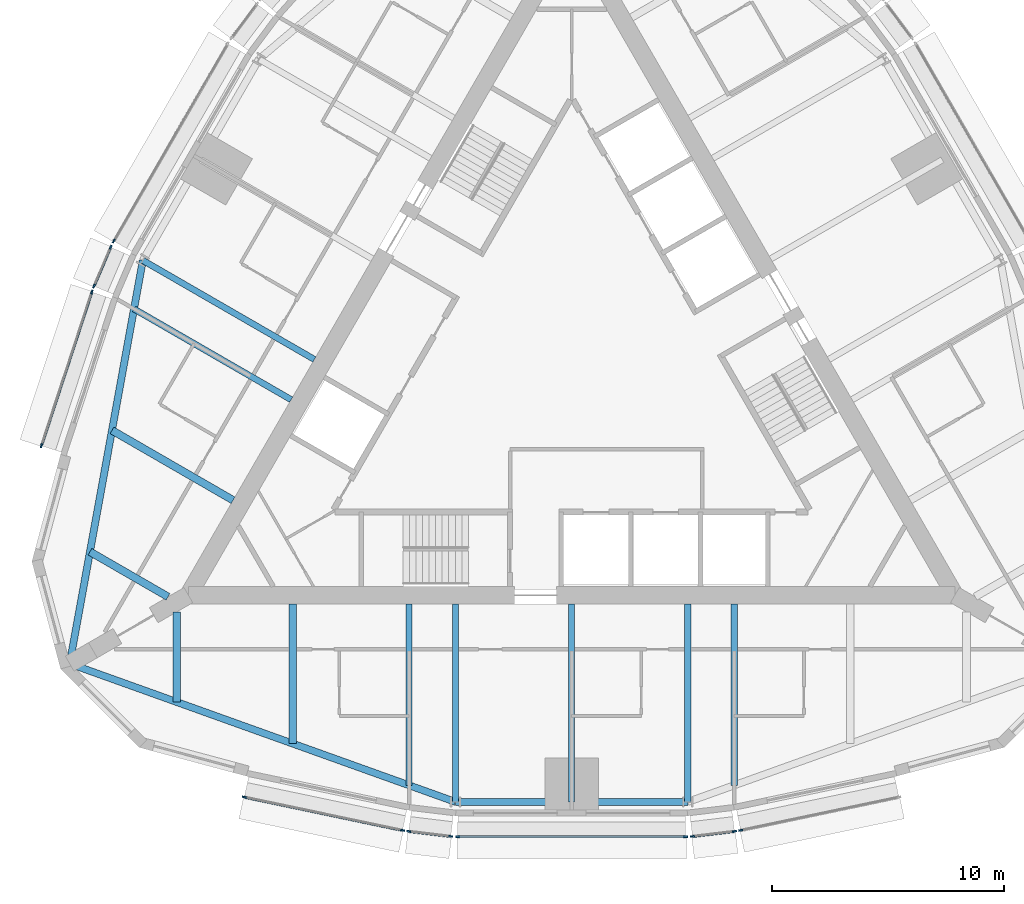
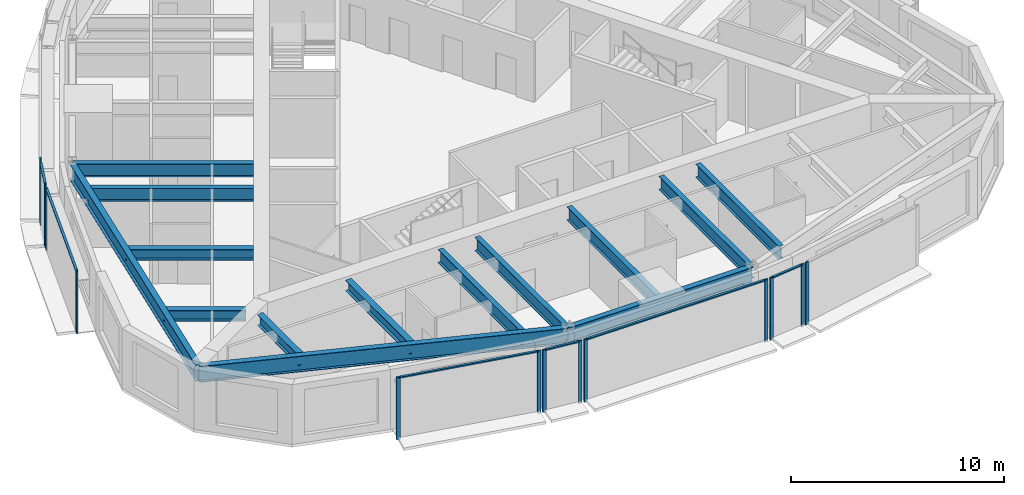
# One storey, part 2 of 12: 20 members, 14 beams, 8 elements without a shape of their own.
"""IFC4 building model written with IfcOpenShell, lengths in metres."""

from ifc_helpers import new_model, si_unit, direction, frame, origin, origin_2d, place, context, subcontext, project, spatial, rectangle, i_section, extrude, material, material_profile, profile_set, type_object, element, aggregate, save


model = new_model("IFC4")

# Units and contexts
model_context = context("Model", 3, precision=1e-05, world=origin(), true_north=direction((0.0, 1.0)))
body_context = subcontext(model_context, "Body", "Model", "MODEL_VIEW")
ifc_project = project(units=[si_unit("LENGTHUNIT", "METRE"), si_unit("AREAUNIT", "SQUARE_METRE"), si_unit("VOLUMEUNIT", "CUBIC_METRE"), si_unit("PLANEANGLEUNIT", "RADIAN"), si_unit("MASSUNIT", "GRAM", prefix="KILO")], contexts=[model_context])

# Site, building, storey
site_placement = place(None, origin())
site = spatial("IfcSite", under=ifc_project, at=site_placement, CompositionType="ELEMENT")
building_placement = place(site_placement, origin())
building = spatial("IfcBuilding", under=site, at=building_placement, Name="Trikona Tower", CompositionType="ELEMENT")
storey_placement = place(building_placement, frame((0.0, 0.0, 242.89990234375)))
storey = spatial("IfcBuildingStorey", under=building, at=storey_placement, Name="L64", CompositionType="ELEMENT", Elevation=242.89990234375)

# Curtain wall, members
ifc_material_1 = material(Name="Aluminium curtain wall system", Category="aluminium")
curtain_wall_type = type_object("IfcCurtainWallType", Name="Curtain wall DS3", PredefinedType="NOTDEFINED", material=ifc_material_1)
curtain_wall_1_placement = place(storey_placement, origin())
curtain_wall_1 = element("IfcCurtainWall", 1, at=curtain_wall_1_placement, inside=storey, type_object=curtain_wall_type, Name="Curtain wall DS3 L64", PredefinedType="NOTDEFINED")
ifc_material_2 = material(Name="Aluminium mullion, pale anodised", Category="aluminium")
ifc_material_profile_1 = material_profile(ifc_material_2, rectangle(XDim=0.070068359375, YDim=0.179931640625, at=origin_2d()), Name="MUL-DS3")
ifc_profile_set_1 = profile_set([ifc_material_profile_1], Name="Aluminium mullion, pale anodised")
member_type_1 = type_object("IfcMemberType", Name="Mullion DS3 70x180", PredefinedType="MULLION", material=ifc_profile_set_1)
member_1_placement = place(storey_placement, frame((-14.092041015625, -18.220703125, 0.0), z_axis=(0.0, 0.0, 1.0), x_axis=(0.205527448396, 0.978651351583, 0.0)))
member_1 = element("IfcMember", 2, at=member_1_placement, type_object=member_type_1, Name="CW-DS3 mullion 1", PredefinedType="MULLION", context=body_context, shape_type="SweptSolid", body=[
    extrude(rectangle(XDim=0.070068359375, YDim=0.179931640625, at=origin_2d()), origin(), (0.0, 0.0, 1.0), 3.60009765625),
])
member_2_placement = place(storey_placement, frame((-7.27783203125, -19.65185546875, 0.0), z_axis=(0.0, 0.0, 1.0), x_axis=(0.205527448396, 0.978651351583, 0.0)))
member_2 = element("IfcMember", 3, at=member_2_placement, type_object=member_type_1, Name="CW-DS3 mullion 2", PredefinedType="MULLION", context=body_context, shape_type="SweptSolid", body=[
    extrude(rectangle(XDim=0.070068359375, YDim=0.179931640625, at=origin_2d()), origin(), (0.0, 0.0, 1.0), 3.60009765625),
])

curtain_wall_2_placement = place(storey_placement, origin())
curtain_wall_2 = element("IfcCurtainWall", 4, at=curtain_wall_2_placement, inside=storey, type_object=curtain_wall_type, Name="Curtain wall DS3 L64", PredefinedType="NOTDEFINED")
member_3_placement = place(storey_placement, frame((-7.012939453125, -19.6953125, 0.0), z_axis=(0.0, 0.0, 1.0), x_axis=(0.119141057581, 0.992877338043, 0.0)))
member_3 = element("IfcMember", 5, at=member_3_placement, type_object=member_type_1, Name="CW-DS3 mullion 1", PredefinedType="MULLION", context=body_context, shape_type="SweptSolid", body=[
    extrude(rectangle(XDim=0.070068359375, YDim=0.179931640625, at=origin_2d()), origin(), (0.0, 0.0, 1.0), 3.60009765625),
])
member_4_placement = place(storey_placement, frame((-5.20166015625, -19.912841796875, 0.0), z_axis=(0.0, 0.0, 1.0), x_axis=(0.119141057581, 0.992877338043, 0.0)))
member_4 = element("IfcMember", 6, at=member_4_placement, type_object=member_type_1, Name="CW-DS3 mullion 2", PredefinedType="MULLION", context=body_context, shape_type="SweptSolid", body=[
    extrude(rectangle(XDim=0.070068359375, YDim=0.179931640625, at=origin_2d()), origin(), (0.0, 0.0, 1.0), 3.60009765625),
])

curtain_wall_3_placement = place(storey_placement, origin())
curtain_wall_3 = element("IfcCurtainWall", 7, at=curtain_wall_3_placement, inside=storey, type_object=curtain_wall_type, Name="Curtain wall DS3 L64", PredefinedType="NOTDEFINED")
member_5_placement = place(storey_placement, frame((-4.905029296875, -19.930419921875, 0.0), z_axis=(0.0, 0.0, 1.0), x_axis=(0.0, 1.0, 0.0)))
member_5 = element("IfcMember", 8, at=member_5_placement, type_object=member_type_1, Name="CW-DS3 mullion 1", PredefinedType="MULLION", context=body_context, shape_type="SweptSolid", body=[
    extrude(rectangle(XDim=0.070068359375, YDim=0.179931640625, at=origin_2d()), origin(), (0.0, 0.0, 1.0), 3.60009765625),
])
member_6_placement = place(storey_placement, frame((4.905029296875, -19.930419921875, 0.0), z_axis=(0.0, 0.0, 1.0), x_axis=(0.0, 1.0, 0.0)))
member_6 = element("IfcMember", 9, at=member_6_placement, type_object=member_type_1, Name="CW-DS3 mullion 2", PredefinedType="MULLION", context=body_context, shape_type="SweptSolid", body=[
    extrude(rectangle(XDim=0.070068359375, YDim=0.179931640625, at=origin_2d()), origin(), (0.0, 0.0, 1.0), 3.60009765625),
])

curtain_wall_4_placement = place(storey_placement, origin())
curtain_wall_4 = element("IfcCurtainWall", 10, at=curtain_wall_4_placement, inside=storey, type_object=curtain_wall_type, Name="Curtain wall DS3 L64", PredefinedType="NOTDEFINED")
member_7_placement = place(storey_placement, frame((5.20166015625, -19.912841796875, 0.0), z_axis=(0.0, 0.0, 1.0), x_axis=(-0.119141057581, 0.992877338043, 0.0)))
member_7 = element("IfcMember", 11, at=member_7_placement, type_object=member_type_1, Name="CW-DS3 mullion 1", PredefinedType="MULLION", context=body_context, shape_type="SweptSolid", body=[
    extrude(rectangle(XDim=0.070068359375, YDim=0.179931640625, at=origin_2d()), origin(), (0.0, 0.0, 1.0), 3.60009765625),
])
member_8_placement = place(storey_placement, frame((7.012939453125, -19.6953125, 0.0), z_axis=(0.0, 0.0, 1.0), x_axis=(-0.119141057581, 0.992877338043, 0.0)))
member_8 = element("IfcMember", 12, at=member_8_placement, type_object=member_type_1, Name="CW-DS3 mullion 2", PredefinedType="MULLION", context=body_context, shape_type="SweptSolid", body=[
    extrude(rectangle(XDim=0.070068359375, YDim=0.179931640625, at=origin_2d()), origin(), (0.0, 0.0, 1.0), 3.60009765625),
])

# Curtain wall, member
curtain_wall_5_placement = place(storey_placement, origin())
curtain_wall_5 = element("IfcCurtainWall", 13, at=curtain_wall_5_placement, inside=storey, type_object=curtain_wall_type, Name="Curtain wall DS3 L64", PredefinedType="NOTDEFINED")
member_9_placement = place(storey_placement, frame((7.27783203125, -19.65185546875, 0.0), z_axis=(0.0, 0.0, 1.0), x_axis=(-0.205527448396, 0.978651351583, 0.0)))
member_9 = element("IfcMember", 14, at=member_9_placement, type_object=member_type_1, Name="CW-DS3 mullion 1", PredefinedType="MULLION", context=body_context, shape_type="SweptSolid", body=[
    extrude(rectangle(XDim=0.070068359375, YDim=0.179931640625, at=origin_2d()), origin(), (0.0, 0.0, 1.0), 3.60009765625),
])
aggregate(curtain_wall_5, [member_9])

curtain_wall_6_placement = place(storey_placement, origin())
curtain_wall_6 = element("IfcCurtainWall", 15, at=curtain_wall_6_placement, inside=storey, type_object=curtain_wall_type, Name="Curtain wall DS3 L64", PredefinedType="NOTDEFINED")
member_10_placement = place(storey_placement, frame((-19.712890625, 5.717529296875, 0.0), z_axis=(0.0, 0.0, 1.0), x_axis=(0.866024619633, -0.500001358187, 0.0)))
member_10 = element("IfcMember", 16, at=member_10_placement, type_object=member_type_1, Name="CW-DS3 mullion 2", PredefinedType="MULLION", context=body_context, shape_type="SweptSolid", body=[
    extrude(rectangle(XDim=0.070068359375, YDim=0.179931640625, at=origin_2d()), origin(), (0.0, 0.0, 1.0), 3.60009765625),
])
aggregate(curtain_wall_6, [member_10])

# Curtain wall, members
curtain_wall_7_placement = place(storey_placement, origin())
curtain_wall_7 = element("IfcCurtainWall", 17, at=curtain_wall_7_placement, inside=storey, type_object=curtain_wall_type, Name="Curtain wall DS3 L64", PredefinedType="NOTDEFINED")
member_11_placement = place(storey_placement, frame((-19.845703125, 5.45166015625, 0.0), z_axis=(0.0, 0.0, 1.0), x_axis=(0.919420580163, -0.393275726143, 0.0)))
member_11 = element("IfcMember", 18, at=member_11_placement, type_object=member_type_1, Name="CW-DS3 mullion 1", PredefinedType="MULLION", context=body_context, shape_type="SweptSolid", body=[
    extrude(rectangle(XDim=0.070068359375, YDim=0.179931640625, at=origin_2d()), origin(), (0.0, 0.0, 1.0), 3.60009765625),
])
member_12_placement = place(storey_placement, frame((-20.563232421875, 3.7744140625, 0.0), z_axis=(0.0, 0.0, 1.0), x_axis=(0.919420580163, -0.393275726143, 0.0)))
member_12 = element("IfcMember", 19, at=member_12_placement, type_object=member_type_1, Name="CW-DS3 mullion 2", PredefinedType="MULLION", context=body_context, shape_type="SweptSolid", body=[
    extrude(rectangle(XDim=0.070068359375, YDim=0.179931640625, at=origin_2d()), origin(), (0.0, 0.0, 1.0), 3.60009765625),
])

curtain_wall_8_placement = place(storey_placement, origin())
curtain_wall_8 = element("IfcCurtainWall", 20, at=curtain_wall_8_placement, inside=storey, type_object=curtain_wall_type, Name="Curtain wall DS3 L64", PredefinedType="NOTDEFINED")
member_13_placement = place(storey_placement, frame((-20.657958984375, 3.52294921875, 0.0), z_axis=(0.0, 0.0, 1.0), x_axis=(0.95029742275, -0.311343553515, 0.0)))
member_13 = element("IfcMember", 21, at=member_13_placement, type_object=member_type_1, Name="CW-DS3 mullion 1", PredefinedType="MULLION", context=body_context, shape_type="SweptSolid", body=[
    extrude(rectangle(XDim=0.070068359375, YDim=0.179931640625, at=origin_2d()), origin(), (0.0, 0.0, 1.0), 3.60009765625),
])
member_14_placement = place(storey_placement, frame((-22.82568359375, -3.09375, 0.0), z_axis=(0.0, 0.0, 1.0), x_axis=(0.95029742275, -0.311343553515, 0.0)))
member_14 = element("IfcMember", 22, at=member_14_placement, type_object=member_type_1, Name="CW-DS3 mullion 2", PredefinedType="MULLION", context=body_context, shape_type="SweptSolid", body=[
    extrude(rectangle(XDim=0.070068359375, YDim=0.179931640625, at=origin_2d()), origin(), (0.0, 0.0, 1.0), 3.60009765625),
])

# Beams
ifc_material_3 = material(Name="Steel ASTM A992 Grade 50", Category="steel")
ifc_material_profile_2 = material_profile(ifc_material_3, i_section(OverallWidth=0.3251953125, OverallDepth=0.612060546875, WebThickness=0.0126953125, FlangeThickness=0.01904296875, at=origin_2d()), Name="W24X104")
ifc_profile_set_2 = profile_set([ifc_material_profile_2], Name="Steel ASTM A992 Grade 50")
beam_type_1 = type_object("IfcBeamType", Name="Steel beam W24x104 (wedge upper)", PredefinedType="BEAM", material=ifc_profile_set_2)
beam_1_placement = place(storey_placement, frame((-17.0, -10.248046875, 3.12890625), z_axis=(0.0, -1.0, 0.0), x_axis=(1.0, 0.0, 0.0)))
element("IfcBeam", 23, at=beam_1_placement, inside=storey, type_object=beam_type_1, Name="Floor beam L65 F1 u-17", PredefinedType="BEAM", context=body_context, shape_type="SweptSolid", body=[
    extrude(i_section(OverallWidth=0.3251953125, OverallDepth=0.612060546875, WebThickness=0.0126953125, FlangeThickness=0.01904296875, at=origin_2d()), origin(), (0.0, 0.0, 1.0), 3.881103515625),
])
for number, where, z_axis, x_axis, name in (
    (24, (-12.0, -9.9013671875, 3.12890625), (0.0, -1.0, 0.0), (1.0, 0.0, 0.0), "Floor beam L65 F1 u-12"),
    (25, (-14.57470703125, -5.441650390625, 3.12890625), (-0.866030935233, 0.499990419128, 0.0), (-0.499990419128, -0.866030935233, 0.0), "Floor beam L65 F3 u12"),
):
    element("IfcBeam", number, at=place(storey_placement, frame(where, z_axis=z_axis, x_axis=x_axis)), inside=storey, type_object=beam_type_1, Name=name, PredefinedType="BEAM", context=body_context, shape_type="SweptSolid", body=[
        extrude(i_section(OverallWidth=0.3251953125, OverallDepth=0.612060546875, WebThickness=0.0126953125, FlangeThickness=0.01904296875, at=origin_2d()), origin(), (0.0, 0.0, 1.0), 6.02001953125),
    ])
beam_2_placement = place(storey_placement, frame((-17.375, -9.598388671875, 3.12890625), z_axis=(-0.866024273614, 0.500001957507, 0.0), x_axis=(-0.500001957507, -0.866024273614, 0.0)))
element("IfcBeam", 26, at=beam_2_placement, inside=storey, type_object=beam_type_1, Name="Floor beam L65 F3 u17", PredefinedType="BEAM", context=body_context, shape_type="SweptSolid", body=[
    extrude(i_section(OverallWidth=0.3251953125, OverallDepth=0.612060546875, WebThickness=0.0126953125, FlangeThickness=0.01904296875, at=origin_2d()), origin(), (0.0, 0.0, 1.0), 3.88134765625),
])
ifc_material_4 = material(Name="Steel ASTM A992 Grade 50", Category="steel")
ifc_material_profile_3 = material_profile(ifc_material_4, i_section(OverallWidth=0.2666015625, OverallDepth=0.7568359375, WebThickness=0.013916015625, FlangeThickness=0.019287109375, at=origin_2d()), Name="W30X108")
ifc_profile_set_3 = profile_set([ifc_material_profile_3], Name="Steel ASTM A992 Grade 50")
beam_type_2 = type_object("IfcBeamType", Name="Steel beam W30x108 (radial upper)", PredefinedType="BEAM", material=ifc_profile_set_3)
beam_3_placement = place(storey_placement, frame((-7.0, -9.9013671875, 3.056640625), z_axis=(0.0, -1.0, 0.0), x_axis=(1.0, 0.0, 0.0)))
element("IfcBeam", 27, at=beam_3_placement, inside=storey, type_object=beam_type_2, Name="Floor beam L65 F1 u-7", PredefinedType="BEAM", context=body_context, shape_type="SweptSolid", body=[
    extrude(i_section(OverallWidth=0.2666015625, OverallDepth=0.7568359375, WebThickness=0.013916015625, FlangeThickness=0.019287109375, at=origin_2d()), origin(), (0.0, 0.0, 1.0), 7.812255859375),
])
for number, where, z_axis, x_axis, name in (
    (28, (-5.0, -9.9013671875, 3.056640625), (0.0, -1.0, 0.0), (1.0, 0.0, 0.0), "Floor beam L65 F1 u-5"),
    (29, (0.0, -9.9013671875, 3.056640625), (0.0, -1.0, 0.0), (1.0, 0.0, 0.0), "Floor beam L65 F1 u0"),
    (30, (5.0, -9.9013671875, 3.056640625), (0.0, -1.0, 0.0), (1.0, 0.0, 0.0), "Floor beam L65 F1 u5"),
):
    element("IfcBeam", number, at=place(storey_placement, frame(where, z_axis=z_axis, x_axis=x_axis)), inside=storey, type_object=beam_type_2, Name=name, PredefinedType="BEAM", context=body_context, shape_type="SweptSolid", body=[
        extrude(i_section(OverallWidth=0.2666015625, OverallDepth=0.7568359375, WebThickness=0.013916015625, FlangeThickness=0.019287109375, at=origin_2d()), origin(), (0.0, 0.0, 1.0), 8.529052734375),
    ])
beam_4_placement = place(storey_placement, frame((7.0, -9.9013671875, 3.056640625), z_axis=(0.0, -1.0, 0.0), x_axis=(1.0, 0.0, 0.0)))
element("IfcBeam", 31, at=beam_4_placement, inside=storey, type_object=beam_type_2, Name="Floor beam L65 F1 u7", PredefinedType="BEAM", context=body_context, shape_type="SweptSolid", body=[
    extrude(i_section(OverallWidth=0.2666015625, OverallDepth=0.7568359375, WebThickness=0.013916015625, FlangeThickness=0.019287109375, at=origin_2d()), origin(), (0.0, 0.0, 1.0), 7.812255859375),
])
beam_5_placement = place(storey_placement, frame((-11.07470703125, 0.62060546875, 3.056640625), z_axis=(-0.866034481505, 0.499984276597, 0.0), x_axis=(-0.499984276597, -0.866034481505, 0.0)))
element("IfcBeam", 32, at=beam_5_placement, inside=storey, type_object=beam_type_2, Name="Floor beam L65 F3 u5", PredefinedType="BEAM", context=body_context, shape_type="SweptSolid", body=[
    extrude(i_section(OverallWidth=0.2666015625, OverallDepth=0.7568359375, WebThickness=0.013916015625, FlangeThickness=0.019287109375, at=origin_2d()), origin(), (0.0, 0.0, 1.0), 8.529052734375),
])
beam_6_placement = place(storey_placement, frame((-12.07470703125, -1.111572265625, 3.056640625), z_axis=(-0.866026865327, 0.499997468525, 0.0), x_axis=(-0.499997468525, -0.866026865327, 0.0)))
element("IfcBeam", 33, at=beam_6_placement, inside=storey, type_object=beam_type_2, Name="Floor beam L65 F3 u7", PredefinedType="BEAM", context=body_context, shape_type="SweptSolid", body=[
    extrude(i_section(OverallWidth=0.2666015625, OverallDepth=0.7568359375, WebThickness=0.013916015625, FlangeThickness=0.019287109375, at=origin_2d()), origin(), (0.0, 0.0, 1.0), 7.8125),
])
ifc_material_5 = material(Name="Steel ASTM A992 Grade 50", Category="steel")
ifc_material_profile_4 = material_profile(ifc_material_5, i_section(OverallWidth=0.3046875, OverallDepth=0.911865234375, WebThickness=0.015869140625, FlangeThickness=0.02392578125, at=origin_2d()), Name="W36X150")
ifc_profile_set_4 = profile_set([ifc_material_profile_4], Name="Steel ASTM A992 Grade 50")
beam_type_3 = type_object("IfcBeamType", Name="Steel beam W36x150 (spandrel upper)", PredefinedType="SPANDREL", material=ifc_profile_set_4)
beam_7_placement = place(storey_placement, frame((-21.6103515625, -12.476806640625, 2.979248046875), z_axis=(0.941358144832, -0.337409014637, 0.0), x_axis=(0.337409014637, 0.941358144832, 0.0)))
element("IfcBeam", 34, at=beam_7_placement, inside=storey, type_object=beam_type_3, Name="Spandrel beam L65 F1-1", PredefinedType="SPANDREL", context=body_context, shape_type="SweptSolid", body=[
    extrude(i_section(OverallWidth=0.3046875, OverallDepth=0.911865234375, WebThickness=0.015869140625, FlangeThickness=0.02392578125, at=origin_2d()), origin(), (0.0, 0.0, 1.0), 17.64501953125),
])
beam_8_placement = place(storey_placement, frame((-5.0, -18.430419921875, 2.979248046875), z_axis=(1.0, 0.0, 0.0), x_axis=(0.0, 1.0, 0.0)))
element("IfcBeam", 35, at=beam_8_placement, inside=storey, type_object=beam_type_3, Name="Spandrel beam L65 F1-2", PredefinedType="SPANDREL", context=body_context, shape_type="SweptSolid", body=[
    extrude(i_section(OverallWidth=0.3046875, OverallDepth=0.911865234375, WebThickness=0.015869140625, FlangeThickness=0.02392578125, at=origin_2d()), origin(), (0.0, 0.0, 1.0), 10.0),
])
beam_9_placement = place(storey_placement, frame((-18.461181640625, 4.885009765625, 2.979248046875), z_axis=(-0.178472662054, -0.983944870864, 0.0), x_axis=(0.983944870864, -0.178472662054, 0.0)))
element("IfcBeam", 36, at=beam_9_placement, inside=storey, type_object=beam_type_3, Name="Spandrel beam L65 F3-3", PredefinedType="SPANDREL", context=body_context, shape_type="SweptSolid", body=[
    extrude(i_section(OverallWidth=0.3046875, OverallDepth=0.911865234375, WebThickness=0.015869140625, FlangeThickness=0.02392578125, at=origin_2d()), origin(), (0.0, 0.0, 1.0), 17.64501953125),
])

# Member
ifc_material_6 = material(Name="Aluminium transom, pale anodised", Category="aluminium")
ifc_material_profile_5 = material_profile(ifc_material_6, rectangle(XDim=0.1201171875, YDim=0.070068359375, at=origin_2d()), Name="TRN-DS3")
ifc_profile_set_5 = profile_set([ifc_material_profile_5], Name="Aluminium transom, pale anodised")
member_type_2 = type_object("IfcMemberType", Name="Transom DS3 70x120", PredefinedType="USERDEFINED", material=ifc_profile_set_5)
member_15_placement = place(storey_placement, frame((-14.0576171875, -18.22802734375, 3.565185546875), z_axis=(0.978654137783, -0.205514181021, 0.0), x_axis=(0.205514181021, 0.978654137783, 0.0)))
member_15 = element("IfcMember", 37, at=member_15_placement, type_object=member_type_2, Name="CW-DS3 transom 1.1", ObjectType="TRANSOM", PredefinedType="USERDEFINED", context=body_context, shape_type="SweptSolid", body=[
    extrude(rectangle(XDim=0.1201171875, YDim=0.070068359375, at=origin_2d()), origin(), (0.0, 0.0, 1.0), 6.892578125),
])

aggregate(curtain_wall_1, [member_1, member_2, member_15])

member_16_placement = place(storey_placement, frame((-6.978271484375, -19.699462890625, 3.565185546875), z_axis=(0.992880130449, -0.119117784396, 0.0), x_axis=(0.119117784396, 0.992880130449, 0.0)))
member_16 = element("IfcMember", 38, at=member_16_placement, type_object=member_type_2, Name="CW-DS3 transom 1.1", ObjectType="TRANSOM", PredefinedType="USERDEFINED", context=body_context, shape_type="SweptSolid", body=[
    extrude(rectangle(XDim=0.1201171875, YDim=0.070068359375, at=origin_2d()), origin(), (0.0, 0.0, 1.0), 1.75439453125),
])

aggregate(curtain_wall_2, [member_3, member_4, member_16])

member_17_placement = place(storey_placement, frame((-4.8701171875, -19.930419921875, 3.565185546875), z_axis=(1.0, 0.0, 0.0), x_axis=(0.0, 1.0, 0.0)))
member_17 = element("IfcMember", 39, at=member_17_placement, type_object=member_type_2, Name="CW-DS3 transom 1.1", ObjectType="TRANSOM", PredefinedType="USERDEFINED", context=body_context, shape_type="SweptSolid", body=[
    extrude(rectangle(XDim=0.1201171875, YDim=0.070068359375, at=origin_2d()), origin(), (0.0, 0.0, 1.0), 9.740234375),
])

aggregate(curtain_wall_3, [member_5, member_6, member_17])

member_18_placement = place(storey_placement, frame((5.236328125, -19.908447265625, 3.565185546875), z_axis=(0.992880130449, 0.119117784396, 0.0), x_axis=(-0.119117784396, 0.992880130449, 0.0)))
member_18 = element("IfcMember", 40, at=member_18_placement, type_object=member_type_2, Name="CW-DS3 transom 1.1", ObjectType="TRANSOM", PredefinedType="USERDEFINED", context=body_context, shape_type="SweptSolid", body=[
    extrude(rectangle(XDim=0.1201171875, YDim=0.070068359375, at=origin_2d()), origin(), (0.0, 0.0, 1.0), 1.75439453125),
])

aggregate(curtain_wall_4, [member_7, member_8, member_18])

member_19_placement = place(storey_placement, frame((-19.859619140625, 5.41943359375, 3.565185546875), z_axis=(-0.393314512783, -0.919403988481, 0.0), x_axis=(0.919403988481, -0.393314512783, 0.0)))
member_19 = element("IfcMember", 41, at=member_19_placement, type_object=member_type_2, Name="CW-DS3 transom 1.1", ObjectType="TRANSOM", PredefinedType="USERDEFINED", context=body_context, shape_type="SweptSolid", body=[
    extrude(rectangle(XDim=0.1201171875, YDim=0.070068359375, at=origin_2d()), origin(), (0.0, 0.0, 1.0), 1.754150390625),
])

aggregate(curtain_wall_7, [member_11, member_12, member_19])

member_20_placement = place(storey_placement, frame((-20.668701171875, 3.48974609375, 3.565185546875), z_axis=(-0.311346184, -0.950296560926, 0.0), x_axis=(0.950296560926, -0.311346184, 0.0)))
member_20 = element("IfcMember", 42, at=member_20_placement, type_object=member_type_2, Name="CW-DS3 transom 1.1", ObjectType="TRANSOM", PredefinedType="USERDEFINED", context=body_context, shape_type="SweptSolid", body=[
    extrude(rectangle(XDim=0.1201171875, YDim=0.070068359375, at=origin_2d()), origin(), (0.0, 0.0, 1.0), 6.892578125),
])

aggregate(curtain_wall_8, [member_13, member_14, member_20])

save(model, "model.ifc")
